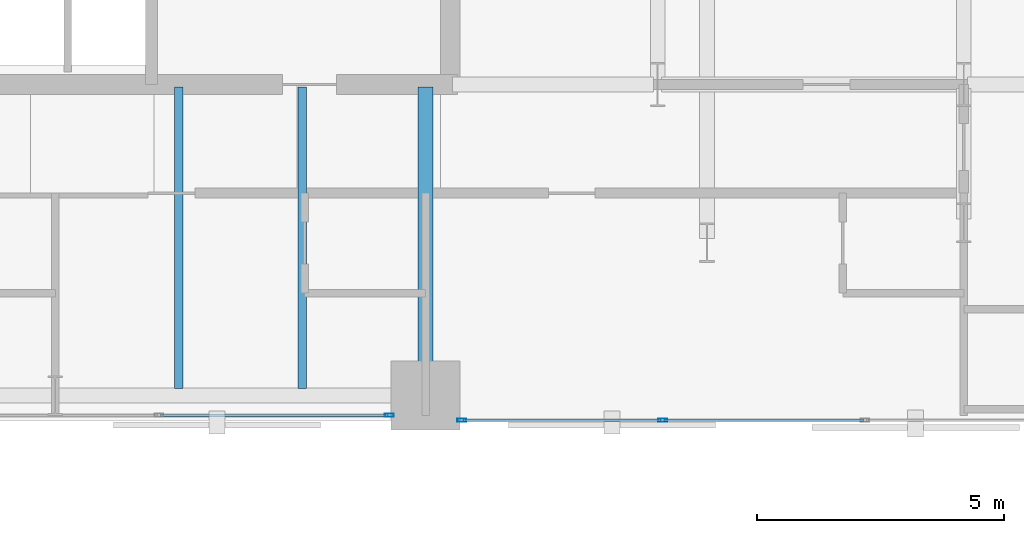
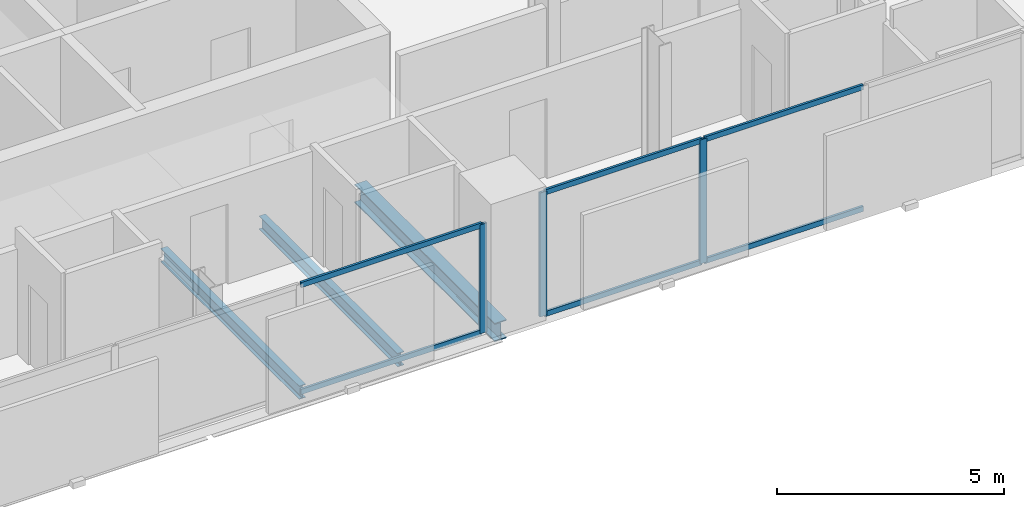
# One storey, part 15 of 33: 9 members, 3 beams, 2 elements without a shape of their own.
"""IFC4 building model written with IfcOpenShell, lengths in metres."""

from ifc_helpers import new_model, si_unit, direction, frame, origin, origin_2d, place, context, subcontext, project, spatial, hollow_rectangle, i_section, extrude, material, layer, layer_set, material_profile, profile_set, type_object, element, aggregate, save


model = new_model("IFC4")

# Units and contexts
model_context = context("Model", 3, precision=1e-05, world=origin(), true_north=direction((0.0, 1.0)))
body_context = subcontext(model_context, "Body", "Model", "MODEL_VIEW")
ifc_project = project(units=[si_unit("LENGTHUNIT", "METRE"), si_unit("AREAUNIT", "SQUARE_METRE"), si_unit("VOLUMEUNIT", "CUBIC_METRE"), si_unit("PLANEANGLEUNIT", "RADIAN"), si_unit("MASSUNIT", "GRAM", prefix="KILO")], contexts=[model_context])

# Site, building, storey
site_placement = place(None, origin())
site = spatial("IfcSite", under=ifc_project, at=site_placement, CompositionType="ELEMENT")
building_placement = place(site_placement, origin())
building = spatial("IfcBuilding", under=site, at=building_placement, Name="Catumbela Crestline Tower", CompositionType="ELEMENT")
storey_placement = place(building_placement, frame((0.0, 0.0, 47.4)))
storey = spatial("IfcBuildingStorey", under=building, at=storey_placement, Name="L11", CompositionType="ELEMENT", Elevation=47.4)

# Beams
ifc_material_1 = material(Name="Structural steel S355J2", Category="steel")
ifc_material_profile_1 = material_profile(ifc_material_1, i_section(OverallWidth=0.3, OverallDepth=0.5, WebThickness=0.0145, FlangeThickness=0.028, FilletRadius=0.027, at=origin_2d()), Name="HEB 500")
ifc_profile_set_1 = profile_set([ifc_material_profile_1], Name="Structural steel S355J2")
beam_type_1 = type_object("IfcBeamType", Name="BG-HEB500", PredefinedType="BEAM", material=ifc_profile_set_1)
beam_placement = place(storey_placement, frame((39.5, 24.58, -0.51), z_axis=(0.0, 1.0, 0.0), x_axis=(-1.0, 0.0, 0.0)))
element("IfcBeam", 1, at=beam_placement, inside=storey, type_object=beam_type_1, Name="L11 Beam BM-L11-SNS34", PredefinedType="BEAM", context=body_context, shape_type="SweptSolid", body=[
    extrude(i_section(OverallWidth=0.3, OverallDepth=0.5, WebThickness=0.0145, FlangeThickness=0.028, FilletRadius=0.027, at=origin_2d()), origin(), (0.0, 0.0, 1.0), 6.17),
])
ifc_material_profile_2 = material_profile(ifc_material_1, i_section(OverallWidth=0.17, OverallDepth=0.36, WebThickness=0.008, FlangeThickness=0.0127, FilletRadius=0.018, at=origin_2d()), Name="IPE 360")
ifc_profile_set_2 = profile_set([ifc_material_profile_2], Name="Structural steel S355J2")
beam_type_2 = type_object("IfcBeamType", Name="BJ-IPE360", PredefinedType="JOIST", material=ifc_profile_set_2)
for number, where, z_axis, x_axis, name in (
    (2, (34.5, 24.647, -0.44), (0.0, 1.0, 0.0), (-1.0, 0.0, 0.0), "L11 Joist JS-L11-SP46"),
    (3, (37.0, 24.647, -0.44), (0.0, 1.0, 0.0), (-1.0, 0.0, 0.0), "L11 Joist JS-L11-SP47"),
):
    element("IfcBeam", number, at=place(storey_placement, frame(where, z_axis=z_axis, x_axis=x_axis)), inside=storey, type_object=beam_type_2, Name=name, PredefinedType="JOIST", context=body_context, shape_type="SweptSolid", body=[
        extrude(i_section(OverallWidth=0.17, OverallDepth=0.36, WebThickness=0.008, FlangeThickness=0.0127, FilletRadius=0.018, at=origin_2d()), origin(), (0.0, 0.0, 1.0), 6.103),
    ])

# Curtain wall, member
ifc_material_2 = material(Name="Aluminium alloy AW-6060-T66", Category="aluminium")
ifc_layer = layer(ifc_material_2, 0.18, Name="Aluminium alloy AW-6060-T66")
ifc_layer_set = layer_set([ifc_layer], Name="Aluminium alloy AW-6060-T66")
curtain_wall_type = type_object("IfcCurtainWallType", Name="CWU-Z1", PredefinedType="USERDEFINED", material=ifc_layer_set)
curtain_wall_1_placement = place(storey_placement, origin())
curtain_wall_1 = element("IfcCurtainWall", 4, at=curtain_wall_1_placement, inside=storey, type_object=curtain_wall_type, Name="L11 Unitised Curtain Wall CW-L11-E3S1", ObjectType="UNITISED", PredefinedType="USERDEFINED")
ifc_material_profile_3 = material_profile(ifc_material_2, hollow_rectangle(XDim=0.065, YDim=0.18, WallThickness=0.004, at=origin_2d()), Name="ALU 180x65x4")
ifc_profile_set_3 = profile_set([ifc_material_profile_3], Name="Aluminium alloy AW-6060-T66")
member_type_1 = type_object("IfcMemberType", Name="MUL-180X65", PredefinedType="MULLION", material=ifc_profile_set_3)
member_1_placement = place(storey_placement, frame((38.7675, 24.1, 0.0), z_axis=(0.0, 0.0, 1.0), x_axis=(0.0, 1.0, 0.0)))
member_1 = element("IfcMember", 5, at=member_1_placement, type_object=member_type_1, Name="CWU-Z1 mullion 4", PredefinedType="MULLION", context=body_context, shape_type="SweptSolid", body=[
    extrude(hollow_rectangle(XDim=0.065, YDim=0.18, WallThickness=0.004, at=origin_2d()), origin(), (0.0, 0.0, 1.0), 2.93),
])

# Curtain wall, members
curtain_wall_2_placement = place(storey_placement, origin())
curtain_wall_2 = element("IfcCurtainWall", 6, at=curtain_wall_2_placement, inside=storey, type_object=curtain_wall_type, Name="L11 Unitised Curtain Wall CW-L11-E3S2", ObjectType="UNITISED", PredefinedType="USERDEFINED")
member_2_placement = place(storey_placement, frame((40.2325, 24.0, 0.0), z_axis=(0.0, 0.0, 1.0), x_axis=(0.0, 1.0, 0.0)))
member_2 = element("IfcMember", 7, at=member_2_placement, type_object=member_type_1, Name="CWU-Z1 mullion 1", PredefinedType="MULLION", context=body_context, shape_type="SweptSolid", body=[
    extrude(hollow_rectangle(XDim=0.065, YDim=0.18, WallThickness=0.004, at=origin_2d()), origin(), (0.0, 0.0, 1.0), 3.33),
])
member_3_placement = place(storey_placement, frame((44.3, 24.0, 0.0), z_axis=(0.0, 0.0, 1.0), x_axis=(0.0, 1.0, 0.0)))
member_3 = element("IfcMember", 8, at=member_3_placement, type_object=member_type_1, Name="CWU-Z1 mullion 2", PredefinedType="MULLION", context=body_context, shape_type="SweptSolid", body=[
    extrude(hollow_rectangle(XDim=0.065, YDim=0.18, WallThickness=0.004, at=origin_2d()), origin(), (0.0, 0.0, 1.0), 3.33),
])

# Member
ifc_material_profile_4 = material_profile(ifc_material_2, hollow_rectangle(XDim=0.06, YDim=0.14, WallThickness=0.004, at=origin_2d()), Name="ALU 140x60x4")
ifc_profile_set_4 = profile_set([ifc_material_profile_4], Name="Aluminium alloy AW-6060-T66")
member_type_2 = type_object("IfcMemberType", Name="TRN-140X60", PredefinedType="USERDEFINED", material=ifc_profile_set_4)
member_4_placement = place(storey_placement, frame((34.1325, 24.1, 0.03), z_axis=(1.0, 0.0, 0.0), x_axis=(0.0, 1.0, 0.0)))
member_4 = element("IfcMember", 9, at=member_4_placement, type_object=member_type_2, Name="CWU-Z1 transom 3.1", ObjectType="TRANSOM", PredefinedType="USERDEFINED", context=body_context, shape_type="SweptSolid", body=[
    extrude(hollow_rectangle(XDim=0.06, YDim=0.14, WallThickness=0.004, at=origin_2d()), origin(), (0.0, 0.0, 1.0), 4.6025),
])

member_5_placement = place(storey_placement, frame((34.1325, 24.1, 2.9), z_axis=(1.0, 0.0, 0.0), x_axis=(0.0, 1.0, 0.0)))
member_5 = element("IfcMember", 10, at=member_5_placement, type_object=member_type_2, Name="CWU-Z1 transom 3.2", ObjectType="TRANSOM", PredefinedType="USERDEFINED", context=body_context, shape_type="SweptSolid", body=[
    extrude(hollow_rectangle(XDim=0.06, YDim=0.14, WallThickness=0.004, at=origin_2d()), origin(), (0.0, 0.0, 1.0), 4.6025),
])

aggregate(curtain_wall_1, [member_1, member_4, member_5])

member_6_placement = place(storey_placement, frame((40.265, 24.0, 0.03), z_axis=(1.0, 0.0, 0.0), x_axis=(0.0, 1.0, 0.0)))
member_6 = element("IfcMember", 11, at=member_6_placement, type_object=member_type_2, Name="CWU-Z1 transom 1.1", ObjectType="TRANSOM", PredefinedType="USERDEFINED", context=body_context, shape_type="SweptSolid", body=[
    extrude(hollow_rectangle(XDim=0.06, YDim=0.14, WallThickness=0.004, at=origin_2d()), origin(), (0.0, 0.0, 1.0), 4.0025),
])

member_7_placement = place(storey_placement, frame((40.265, 24.0, 3.3), z_axis=(1.0, 0.0, 0.0), x_axis=(0.0, 1.0, 0.0)))
member_7 = element("IfcMember", 12, at=member_7_placement, type_object=member_type_2, Name="CWU-Z1 transom 1.2", ObjectType="TRANSOM", PredefinedType="USERDEFINED", context=body_context, shape_type="SweptSolid", body=[
    extrude(hollow_rectangle(XDim=0.06, YDim=0.14, WallThickness=0.004, at=origin_2d()), origin(), (0.0, 0.0, 1.0), 4.0025),
])

member_8_placement = place(storey_placement, frame((44.3325, 24.0, 0.03), z_axis=(1.0, 0.0, 0.0), x_axis=(0.0, 1.0, 0.0)))
member_8 = element("IfcMember", 13, at=member_8_placement, type_object=member_type_2, Name="CWU-Z1 transom 2.1", ObjectType="TRANSOM", PredefinedType="USERDEFINED", context=body_context, shape_type="SweptSolid", body=[
    extrude(hollow_rectangle(XDim=0.06, YDim=0.14, WallThickness=0.004, at=origin_2d()), origin(), (0.0, 0.0, 1.0), 4.035),
])

member_9_placement = place(storey_placement, frame((44.3325, 24.0, 3.3), z_axis=(1.0, 0.0, 0.0), x_axis=(0.0, 1.0, 0.0)))
member_9 = element("IfcMember", 14, at=member_9_placement, type_object=member_type_2, Name="CWU-Z1 transom 2.2", ObjectType="TRANSOM", PredefinedType="USERDEFINED", context=body_context, shape_type="SweptSolid", body=[
    extrude(hollow_rectangle(XDim=0.06, YDim=0.14, WallThickness=0.004, at=origin_2d()), origin(), (0.0, 0.0, 1.0), 4.035),
])

aggregate(curtain_wall_2, [member_2, member_3, member_6, member_7, member_8, member_9])

save(model, "model.ifc")
